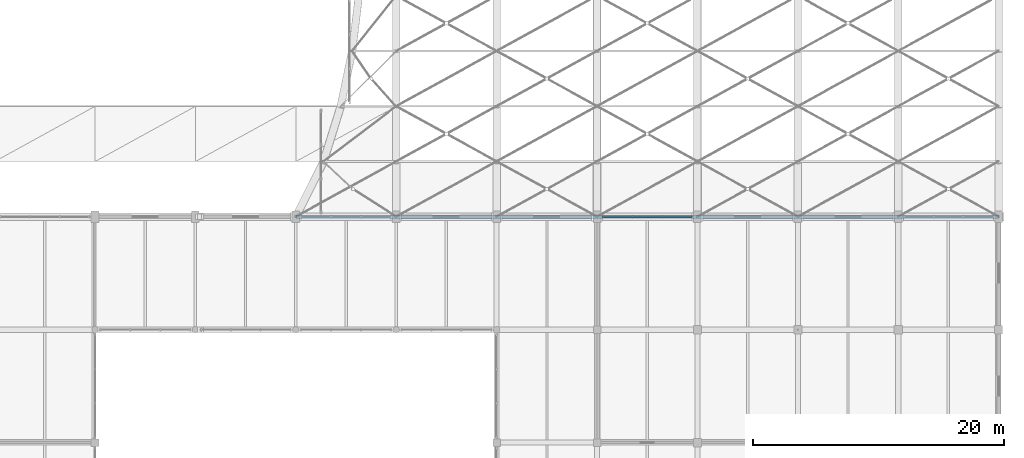
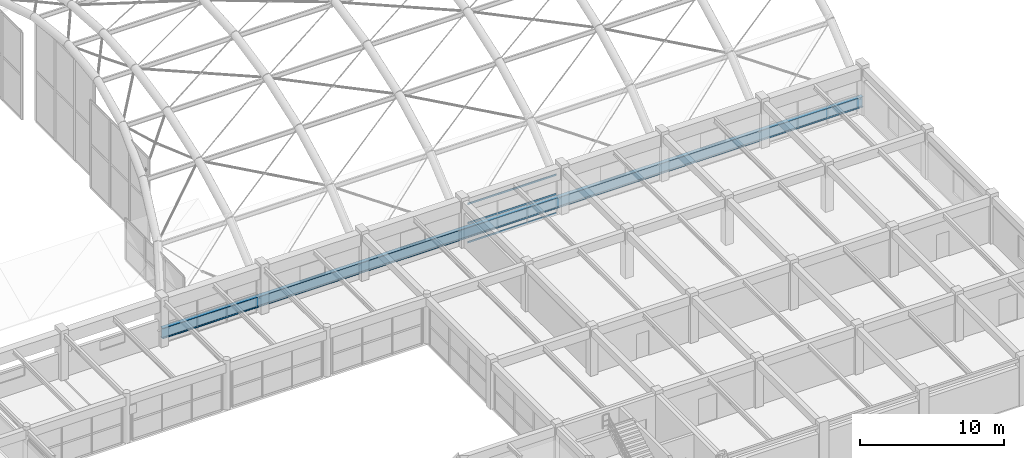
# One storey, part 79 of 126: 3 members, 1 beam, 1 element without a shape of its own.
"""IFC4 building model written with IfcOpenShell, lengths in metres."""

import ifcopenshell
import ifcopenshell.guid

model = None  # the IFC model being written
_history = None  # IfcOwnerHistory: only IFC2X3 demands one
_inside = {}  # id of a spatial element -> (the spatial element, [elements in it])
_under = {}  # id of a project, library or spatial element -> (it, [spatial elements below it])
_declared = {}  # id of a project -> (the project, [libraries it declares])
_typed = {}  # id of a type object -> (the type object, [elements of that type])
_made_of = {}  # id of a material, layer set ... -> (it, [elements and type objects made of it])


def new_model(schema):
    """Start an empty IFC model of exactly this schema.

    Asked for "IFC4X3", IfcOpenShell would pick the latest addendum, in which some entities
    have other attributes; the version numbers below select the first issue.
    IFC2X3 requires an IfcOwnerHistory on every rooted entity: one is made here for all.
    """
    global model, _history
    if schema == "IFC4X3":
        model = ifcopenshell.file(schema_version=(4, 3, 0, 0))
    else:
        model = ifcopenshell.file(schema=schema)
    _inside.clear()
    _under.clear()
    _declared.clear()
    _typed.clear()
    _made_of.clear()
    _history = None
    if model.schema == "IFC2X3":
        org = make("IfcOrganization", Name="unknown")
        user = make(
            "IfcPersonAndOrganization",
            ThePerson=make("IfcPerson", FamilyName="unknown"),
            TheOrganization=org,
        )
        app = make(
            "IfcApplication",
            ApplicationDeveloper=org,
            Version="unknown",
            ApplicationFullName="unknown",
            ApplicationIdentifier="unknown",
        )
        _history = make(
            "IfcOwnerHistory",
            OwningUser=user,
            OwningApplication=app,
            ChangeAction="ADDED",
            CreationDate=0,
        )
    return model


def make(cls, **values):
    """One entity of the class cls with the attributes given. An attribute that is None is left unset."""
    return model.create_entity(
        cls, **{name: value for name, value in values.items() if value is not None}
    )


def rooted(cls, **values):
    """An entity with a GlobalId (a new one), such as an element, a storey or a relation."""
    return make(cls, GlobalId=ifcopenshell.guid.new(), OwnerHistory=_history, **values)


def si_unit(unit_type, name, prefix=None):
    """IfcSIUnit, for example si_unit("LENGTHUNIT", "METRE", prefix="MILLI")."""
    return make("IfcSIUnit", UnitType=unit_type, Prefix=prefix, Name=name)


def assignment(units):
    """IfcUnitAssignment: the units of a project."""
    return None if units is None else make("IfcUnitAssignment", Units=units)


def point(xyz):
    """IfcCartesianPoint."""
    return None if xyz is None else make("IfcCartesianPoint", Coordinates=xyz)


def direction(xyz):
    """IfcDirection."""
    return None if xyz is None else make("IfcDirection", DirectionRatios=xyz)


def frame(location, z_axis=None, x_axis=None):
    """IfcAxis2Placement3D, a coordinate frame: its origin and axes. An axis left out is left unset."""
    return make(
        "IfcAxis2Placement3D",
        Location=point(location),
        Axis=direction(z_axis),
        RefDirection=direction(x_axis),
    )


def frame_2d(location, x_axis=None):
    """IfcAxis2Placement2D, a coordinate frame in the plane: its origin and x axis."""
    return make(
        "IfcAxis2Placement2D", Location=point(location), RefDirection=direction(x_axis)
    )


def origin():
    """The frame at (0, 0, 0) with its axes left unset."""
    return frame((0.0, 0.0, 0.0))


def origin_2d():
    """The frame at (0, 0) in the plane with its x axis left unset."""
    return frame_2d((0.0, 0.0))


def place(relative_to, where):
    """IfcLocalPlacement: puts the frame where relative to a parent placement (None: the world)."""
    return make(
        "IfcLocalPlacement", PlacementRelTo=relative_to, RelativePlacement=where
    )


def context(
    kind, dimensions, precision=None, world=None, true_north=None, identifier=None
):
    """IfcGeometricRepresentationContext, for example the 3D "Model" context."""
    return make(
        "IfcGeometricRepresentationContext",
        ContextIdentifier=identifier,
        ContextType=kind,
        CoordinateSpaceDimension=dimensions,
        Precision=precision,
        WorldCoordinateSystem=world,
        TrueNorth=true_north,
    )


def subcontext(parent, identifier, kind, view, scale=None):
    """IfcGeometricRepresentationSubContext, for example "Body" below "Model"."""
    return make(
        "IfcGeometricRepresentationSubContext",
        ContextIdentifier=identifier,
        ContextType=kind,
        ParentContext=parent,
        TargetScale=scale,
        TargetView=view,
    )


def project(units=None, contexts=None):
    """IfcProject with its units and contexts."""
    return rooted(
        "IfcProject",
        Name="project",
        RepresentationContexts=contexts,
        UnitsInContext=assignment(units),
    )


def spatial(cls, under=None, at=None, **own):
    """A site, building, storey or space (cls), placed at a placement, below another one or the project."""
    s = rooted(cls, ObjectPlacement=at, **own)
    if under is not None:
        _under.setdefault(under.id(), (under, []))[1].append(s)
    return s


def profile(cls, at=None, kind="AREA", **sizes):
    """A parametric profile (cls). Its sizes go by their IFC names, for example OverallWidth=200.0."""
    return make(cls, ProfileType=kind, Position=at, **sizes)


def hollow_rectangle(**sizes):
    """IfcRectangleHollowProfileDef."""
    return profile("IfcRectangleHollowProfileDef", **sizes)


def i_section(**sizes):
    """IfcIShapeProfileDef."""
    return profile("IfcIShapeProfileDef", **sizes)


def extrude(swept, where, along, depth):
    """IfcExtrudedAreaSolid: the profile swept, set in the frame where, extruded along a direction by depth."""
    return make(
        "IfcExtrudedAreaSolid",
        SweptArea=swept,
        Position=where,
        ExtrudedDirection=direction(along),
        Depth=depth,
    )


def shape(context_of_items, identifier, shape_type, items):
    """IfcShapeRepresentation: the items that make up one representation, for example the "Body"."""
    return make(
        "IfcShapeRepresentation",
        ContextOfItems=context_of_items,
        RepresentationIdentifier=identifier,
        RepresentationType=shape_type,
        Items=items,
    )


def material(Name=None, Category=None):
    """IfcMaterial."""
    return make("IfcMaterial", Name=Name, Category=Category)


def material_profile(
    of_material, cross_section, Name=None, Category=None, Priority=None
):
    """IfcMaterialProfile: a cross section and its material."""
    return make(
        "IfcMaterialProfile",
        Name=Name,
        Material=of_material,
        Profile=cross_section,
        Priority=Priority,
        Category=Category,
    )


def profile_set(profiles, Name=None, composite=None):
    """IfcMaterialProfileSet."""
    return make(
        "IfcMaterialProfileSet",
        Name=Name,
        MaterialProfiles=profiles,
        CompositeProfile=composite,
    )


def made_of(thing, what):
    """Note that an element or type object is made of a material, layer set ...; save() writes the relation."""
    if what is not None:
        _made_of.setdefault(what.id(), (what, []))[1].append(thing)
    return thing


def type_object(cls, material=None, **own):
    """A type object (cls), such as IfcWallType, which elements share."""
    return made_of(rooted(cls, **own), material)


def element(
    cls,
    number,
    at=None,
    inside=None,
    cuts=None,
    type_object=None,
    material=None,
    context=None,
    identifier="Body",
    shape_type=None,
    held_by="IfcProductDefinitionShape",
    body=None,
    shapes=None,
    **own,
):
    """One element of the class cls, such as IfcWall. Its Tag is "e" and its number.

    at: its placement. inside: the storey or other place that contains it. cuts: it is an
    opening in that element (IfcRelVoidsElement). A single representation is given by context,
    identifier, shape_type and body (its items); several are given by shapes. held_by: the class
    of the entity that holds the representations. save() writes the other relations.
    """
    e = rooted(cls, Tag="e%d" % number, ObjectPlacement=at, **own)
    if body is not None:
        shapes = [shape(context, identifier, shape_type, body)]
    if shapes is not None:
        e.Representation = make(held_by, Representations=shapes)
    if inside is not None:
        _inside.setdefault(inside.id(), (inside, []))[1].append(e)
    if cuts is not None:
        rooted(
            "IfcRelVoidsElement", RelatingBuildingElement=cuts, RelatedOpeningElement=e
        )
    if type_object is not None:
        _typed.setdefault(type_object.id(), (type_object, []))[1].append(e)
    return made_of(e, material)


def aggregate(whole, parts):
    """IfcRelAggregates: a whole, such as a stair, and the parts it consists of."""
    return rooted("IfcRelAggregates", RelatingObject=whole, RelatedObjects=parts)


def save(model, path):
    """Write the relations noted so far, then the file.

    IfcRelAggregates (storeys below a building ...), IfcRelContainedInSpatialStructure (elements
    in a storey), IfcRelDefinesByType, IfcRelAssociatesMaterial and IfcRelDeclares: one each for
    every whole, place, type object, material and project.
    """
    for whole, parts in _under.values():
        aggregate(whole, parts)
    for where, things in _inside.values():
        rooted(
            "IfcRelContainedInSpatialStructure",
            RelatedElements=things,
            RelatingStructure=where,
        )
    for kind, things in _typed.values():
        rooted("IfcRelDefinesByType", RelatedObjects=things, RelatingType=kind)
    for what, things in _made_of.values():
        rooted("IfcRelAssociatesMaterial", RelatedObjects=things, RelatingMaterial=what)
    for by, libraries in _declared.values():
        rooted("IfcRelDeclares", RelatingContext=by, RelatedDefinitions=libraries)
    model.write(path)


model = new_model("IFC4")

# Units and contexts
model_context = context("Model", 3, precision=1e-05, world=origin(), true_north=direction((0.0, 1.0)))
body_context = subcontext(model_context, "Body", "Model", "MODEL_VIEW")
ifc_project = project(units=[si_unit("LENGTHUNIT", "METRE"), si_unit("AREAUNIT", "SQUARE_METRE"), si_unit("VOLUMEUNIT", "CUBIC_METRE"), si_unit("PLANEANGLEUNIT", "RADIAN"), si_unit("MASSUNIT", "GRAM", prefix="KILO")], contexts=[model_context])

# Site, building, storey
site_placement = place(None, origin())
site = spatial("IfcSite", under=ifc_project, at=site_placement, CompositionType="ELEMENT")
building_placement = place(site_placement, origin())
building = spatial("IfcBuilding", under=site, at=building_placement, Name="Varnabhumi Central Station", CompositionType="ELEMENT")
storey_placement = place(building_placement, frame((0.0, 0.0, 16.199951171875)))
storey = spatial("IfcBuildingStorey", under=building, at=storey_placement, Name="L03", CompositionType="ELEMENT", Elevation=16.199951171875)

# Beam
ifc_material_1 = material(Name="Structural steel E450", Category="steel")
ifc_material_profile_1 = material_profile(ifc_material_1, i_section(OverallWidth=0.300048828125, OverallDepth=0.89990234375, WebThickness=0.0185546875, FlangeThickness=0.034912109375, FilletRadius=0.030029296875, at=origin_2d()), Name="Structural steel E450", Category="steel")
ifc_profile_set_1 = profile_set([ifc_material_profile_1], Name="Structural steel E450")
beam_type = type_object("IfcBeamType", Name="BM-CONC-WPB900", PredefinedType="BEAM", material=ifc_profile_set_1)
beam_placement = place(storey_placement, frame((128.0, 36.0, 0.91015625), z_axis=(1.0, 0.0, 0.0), x_axis=(0.0, 1.0, 0.0)))
element("IfcBeam", 1, at=beam_placement, inside=storey, type_object=beam_type, Name="Platform Train-Shed Vault Compression Ring Beam S", PredefinedType="BEAM", context=body_context, shape_type="SweptSolid", body=[
    extrude(i_section(OverallWidth=0.300048828125, OverallDepth=0.89990234375, WebThickness=0.0185546875, FlangeThickness=0.034912109375, FilletRadius=0.030029296875, at=origin_2d()), origin(), (0.0, 0.0, 1.0), 56.0),
])

# Curtain wall, members
ifc_material_2 = material(Name="Anodised aluminium 6063-T6", Category="aluminium")
curtain_wall_type = type_object("IfcCurtainWallType", Name="CW-SPINE-SCREEN-L0", PredefinedType="NOTDEFINED", material=ifc_material_2)
curtain_wall_placement = place(storey_placement, origin())
curtain_wall = element("IfcCurtainWall", 2, at=curtain_wall_placement, inside=storey, type_object=curtain_wall_type, Name="Curtain Wall CW-SS315", PredefinedType="NOTDEFINED")
ifc_material_profile_2 = material_profile(ifc_material_2, hollow_rectangle(XDim=0.06005859375, YDim=0.14990234375, WallThickness=0.00390625, InnerFilletRadius=0.001953125, OuterFilletRadius=0.006103515625, at=origin_2d()), Name="Anodised aluminium 6063-T6", Category="aluminium")
ifc_profile_set_2 = profile_set([ifc_material_profile_2], Name="Anodised aluminium 6063-T6")
member_type = type_object("IfcMemberType", Name="CW-TR-150", PredefinedType="USERDEFINED", material=ifc_profile_set_2)
member_1_placement = place(storey_placement, frame((152.449951171875, 36.0, 0.0), z_axis=(1.0, 0.0, 0.0), x_axis=(0.0, 1.0, 0.0)))
member_1 = element("IfcMember", 3, at=member_1_placement, type_object=member_type, Name="Curtain Wall Transom CW-SS315-T1", ObjectType="TRANSOM", PredefinedType="USERDEFINED", context=body_context, shape_type="SweptSolid", body=[
    extrude(hollow_rectangle(XDim=0.06005859375, YDim=0.14990234375, WallThickness=0.00390625, InnerFilletRadius=0.001953125, OuterFilletRadius=0.006103515625, at=origin_2d()), origin(), (0.0, 0.0, 1.0), 7.10009765625),
])
member_2_placement = place(storey_placement, frame((152.449951171875, 36.0, 1.6201171875), z_axis=(1.0, 0.0, 0.0), x_axis=(0.0, 1.0, 0.0)))
member_2 = element("IfcMember", 4, at=member_2_placement, type_object=member_type, Name="Curtain Wall Transom CW-SS315-T2", ObjectType="TRANSOM", PredefinedType="USERDEFINED", context=body_context, shape_type="SweptSolid", body=[
    extrude(hollow_rectangle(XDim=0.06005859375, YDim=0.14990234375, WallThickness=0.00390625, InnerFilletRadius=0.001953125, OuterFilletRadius=0.006103515625, at=origin_2d()), origin(), (0.0, 0.0, 1.0), 7.10009765625),
])
member_3_placement = place(storey_placement, frame((152.449951171875, 36.0, 3.239990234375), z_axis=(1.0, 0.0, 0.0), x_axis=(0.0, 1.0, 0.0)))
member_3 = element("IfcMember", 5, at=member_3_placement, type_object=member_type, Name="Curtain Wall Transom CW-SS315-T3", ObjectType="TRANSOM", PredefinedType="USERDEFINED", context=body_context, shape_type="SweptSolid", body=[
    extrude(hollow_rectangle(XDim=0.06005859375, YDim=0.14990234375, WallThickness=0.00390625, InnerFilletRadius=0.001953125, OuterFilletRadius=0.006103515625, at=origin_2d()), origin(), (0.0, 0.0, 1.0), 7.10009765625),
])
aggregate(curtain_wall, [member_1, member_2, member_3])

save(model, "model.ifc")
